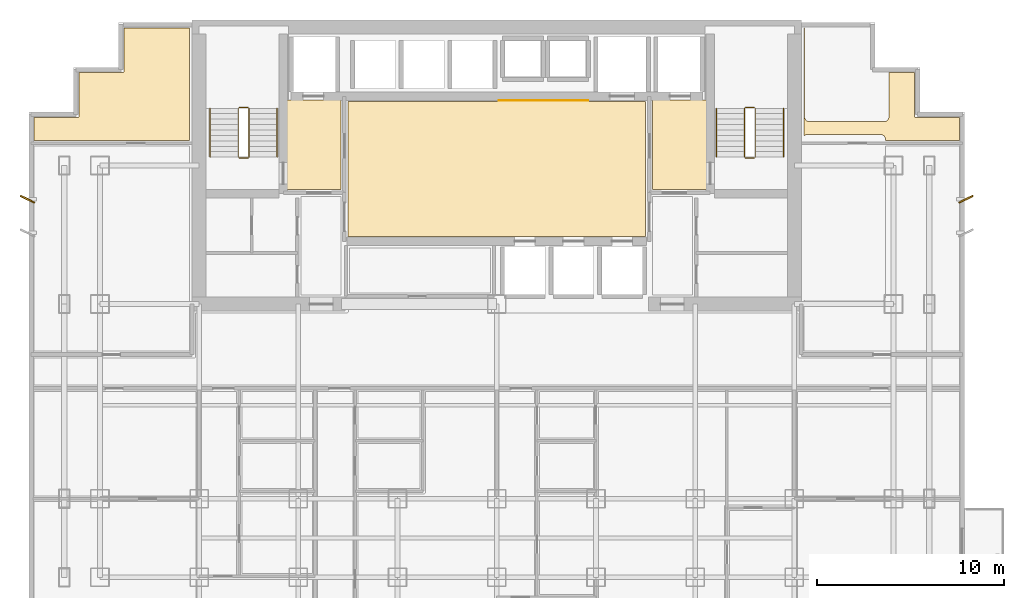
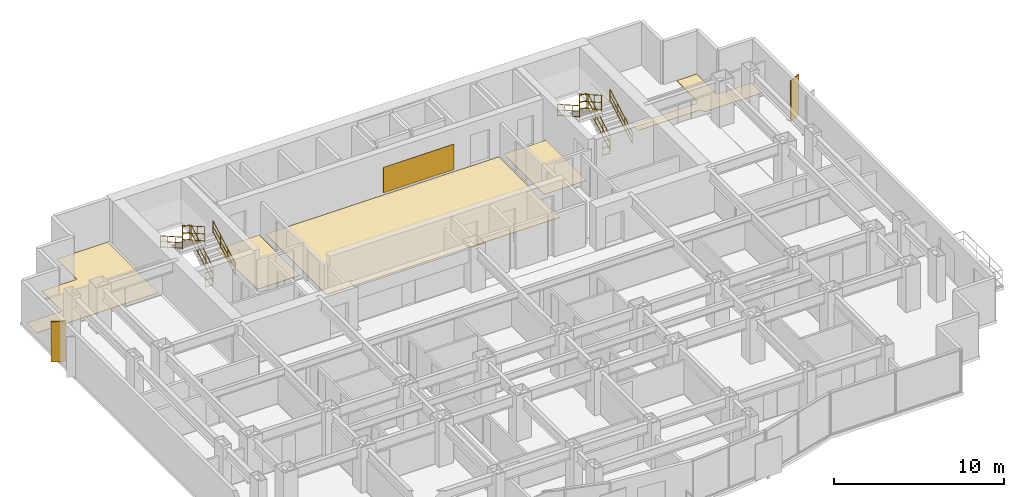
# One storey, part 10 of 10: 12 railings, 6 coverings, 2 shading devices.
"""IFC4 building model written with IfcOpenShell, lengths in metres."""

from ifc_helpers import new_model, si_unit, direction, frame, origin, origin_2d, place, context, subcontext, project, spatial, polyline, rectangle, circle, outline, extrude, source, transform, mapped, material, layer, layer_set, type_object, element, save


model = new_model("IFC4")

# Units and contexts
model_context = context("Model", 3, precision=1e-05, world=origin(), true_north=direction((0.0, 1.0)))
body_context = subcontext(model_context, "Body", "Model", "MODEL_VIEW")
ifc_project = project(units=[si_unit("LENGTHUNIT", "METRE"), si_unit("AREAUNIT", "SQUARE_METRE"), si_unit("VOLUMEUNIT", "CUBIC_METRE"), si_unit("PLANEANGLEUNIT", "RADIAN"), si_unit("MASSUNIT", "GRAM", prefix="KILO")], contexts=[model_context])

# Site, building, storey
site_placement = place(None, origin())
site = spatial("IfcSite", under=ifc_project, at=site_placement, CompositionType="ELEMENT")
building_placement = place(site_placement, origin())
building = spatial("IfcBuilding", under=site, at=building_placement, Name="Qianlan Lanfeng Residences", CompositionType="ELEMENT")
storey_placement = place(building_placement, frame((0.0, 0.0, 91.60009765625)))
storey = spatial("IfcBuildingStorey", under=building, at=storey_placement, Name="L24", CompositionType="ELEMENT", Elevation=91.60009765625)

# Coverings
ifc_material_1 = material(Name="Anodised Bronze Feature Wall Cladding")
ifc_layer_1 = layer(ifc_material_1, 0.02490234375)
ifc_layer_set_1 = layer_set([ifc_layer_1], Name="Anodised Bronze Feature Wall Cladding")
covering_type_1 = type_object("IfcCoveringType", Name="CLD-BRZ-25", PredefinedType="CLADDING", material=ifc_layer_set_1)
covering_1_placement = place(storey_placement, frame((0.0, 0.0, 0.14990234375)))
element("IfcCovering", 1, at=covering_1_placement, inside=storey, type_object=covering_type_1, Name="L24 Lift Lobby Bronze Feature Cladding", PredefinedType="CLADDING", context=body_context, shape_type="SweptSolid", body=[
    extrude(outline(polyline([(26.60009765625, 36.050048828125), (31.39990234375, 36.050048828125), (31.39990234375, 36.074951171875), (26.60009765625, 36.074951171875), (26.60009765625, 36.050048828125)])), origin(), (0.0, 0.0, 1.0), 1.830078125),
])
ifc_material_2 = material(Name="Honed Taitung Granite Stone Flooring", Category="masonry")
ifc_layer_2 = layer(ifc_material_2, 0.030029296875)
ifc_layer_set_2 = layer_set([ifc_layer_2], Name="Honed Taitung Granite Stone Flooring")
covering_type_2 = type_object("IfcCoveringType", Name="FLR-STN-30", PredefinedType="FLOORING", material=ifc_layer_set_2)
covering_2_placement = place(storey_placement, origin())
element("IfcCovering", 2, at=covering_2_placement, inside=storey, type_object=covering_type_2, Name="L24 Firefighting Lift Lobby Floor Finish", PredefinedType="FLOORING", context=body_context, shape_type="SweptSolid", body=[
    extrude(outline(polyline([(15.2900390625, 31.320068359375), (18.179931640625, 31.320068359375), (18.179931640625, 36.110107421875), (15.2900390625, 36.110107421875), (15.2900390625, 31.320068359375)])), origin(), (0.0, 0.0, 1.0), 0.02978515625),
])
covering_3_placement = place(storey_placement, origin())
element("IfcCovering", 3, at=covering_3_placement, inside=storey, type_object=covering_type_2, Name="L24 Firefighting Lift Lobby Floor Finish", PredefinedType="FLOORING", context=body_context, shape_type="SweptSolid", body=[
    extrude(outline(polyline([(34.820068359375, 31.320068359375), (37.7099609375, 31.320068359375), (37.7099609375, 36.110107421875), (34.820068359375, 36.110107421875), (34.820068359375, 31.320068359375)])), origin(), (0.0, 0.0, 1.0), 0.02978515625),
])
covering_4_placement = place(storey_placement, origin())
element("IfcCovering", 4, at=covering_4_placement, inside=storey, type_object=covering_type_2, Name="L24 Lift Lobby Floor Finish", PredefinedType="FLOORING", context=body_context, shape_type="SweptSolid", body=[
    extrude(outline(polyline([(18.550048828125, 28.820068359375), (34.449951171875, 28.820068359375), (34.449951171875, 36.010009765625), (18.550048828125, 36.010009765625), (18.550048828125, 28.820068359375)])), origin(), (0.0, 0.0, 1.0), 0.02978515625),
])
ifc_material_3 = material(Name="Engineered Smoked Oak Timber Flooring", Category="wood")
ifc_layer_3 = layer(ifc_material_3, 0.02197265625)
ifc_layer_set_3 = layer_set([ifc_layer_3], Name="Engineered Smoked Oak Timber Flooring")
covering_type_3 = type_object("IfcCoveringType", Name="FLR-TIM-22", PredefinedType="FLOORING", material=ifc_layer_set_3)
covering_5_placement = place(storey_placement, origin())
element("IfcCovering", 5, at=covering_5_placement, inside=storey, type_object=covering_type_3, Name="L24 Resident Lounge Floor Finish", PredefinedType="FLOORING", context=body_context, shape_type="SweptSolid", body=[
    extrude(outline(polyline([(1.7900390625, 33.949951171875), (10.074951171875, 33.949951171875), (10.074951171875, 39.9599609375), (6.590087890625, 39.9599609375), (6.590087890625, 37.6298828125), (6.590087890625, 37.623046875), (6.589111328125, 37.615966796875), (6.5869140625, 37.610107421875), (6.5849609375, 37.60302734375), (6.58203125, 37.596923828125), (6.577880859375, 37.591064453125), (6.573974609375, 37.5859375), (6.569091796875, 37.5810546875), (6.56396484375, 37.575927734375), (6.55908203125, 37.572021484375), (6.552978515625, 37.568115234375), (6.547119140625, 37.56494140625), (6.5400390625, 37.56298828125), (6.533935546875, 37.56103515625), (6.527099609375, 37.56005859375), (6.52001953125, 37.56005859375), (4.18994140625, 37.56005859375), (4.18994140625, 35.22998046875), (4.18994140625, 35.222900390625), (4.18896484375, 35.216064453125), (4.18701171875, 35.2099609375), (4.18505859375, 35.202880859375), (4.181884765625, 35.197021484375), (4.177978515625, 35.19091796875), (4.174072265625, 35.18603515625), (4.1689453125, 35.180908203125), (4.1640625, 35.176025390625), (4.158935546875, 35.172119140625), (4.153076171875, 35.16796875), (4.14697265625, 35.1650390625), (4.139892578125, 35.1630859375), (4.134033203125, 35.160888671875), (4.126953125, 35.159912109375), (4.1201171875, 35.159912109375), (1.7900390625, 35.159912109375), (1.7900390625, 33.949951171875)])), origin(), (0.0, 0.0, 1.0), 0.02197265625),
])
covering_6_placement = place(storey_placement, origin())
element("IfcCovering", 6, at=covering_6_placement, inside=storey, type_object=covering_type_3, Name="L24 Resident Lounge Floor Finish", PredefinedType="FLOORING", context=body_context, shape_type="SweptSolid", body=[
    extrude(outline(polyline([(42.925048828125, 34.196044921875), (42.94091796875, 34.2080078125), (42.9619140625, 34.219970703125), (42.98388671875, 34.23095703125), (43.007080078125, 34.239013671875), (43.031005859375, 34.2451171875), (43.054931640625, 34.2490234375), (43.080078125, 34.25), (47.02001953125, 34.25), (47.044921875, 34.2490234375), (47.069091796875, 34.2451171875), (47.093017578125, 34.239013671875), (47.115966796875, 34.23095703125), (47.137939453125, 34.219970703125), (47.158935546875, 34.2080078125), (47.178955078125, 34.193115234375), (47.197021484375, 34.177001953125), (47.212890625, 34.158935546875), (47.22802734375, 34.138916015625), (47.239990234375, 34.117919921875), (47.2509765625, 34.095947265625), (47.259033203125, 34.072998046875), (47.264892578125, 34.049072265625), (47.26904296875, 34.02490234375), (47.27001953125, 34.0), (47.27001953125, 33.949951171875), (51.2099609375, 33.949951171875), (51.2099609375, 35.159912109375), (48.8798828125, 35.159912109375), (48.873046875, 35.159912109375), (48.865966796875, 35.160888671875), (48.860107421875, 35.1630859375), (48.85302734375, 35.1650390625), (48.846923828125, 35.16796875), (48.841064453125, 35.172119140625), (48.8359375, 35.176025390625), (48.8310546875, 35.180908203125), (48.825927734375, 35.18603515625), (48.822021484375, 35.19091796875), (48.818115234375, 35.197021484375), (48.81494140625, 35.202880859375), (48.81298828125, 35.2099609375), (48.81103515625, 35.216064453125), (48.81005859375, 35.222900390625), (48.81005859375, 35.22998046875), (48.81005859375, 37.56005859375), (47.449951171875, 37.56005859375), (47.449951171875, 35.199951171875), (47.448974609375, 35.175048828125), (47.445068359375, 35.15087890625), (47.43896484375, 35.126953125), (47.430908203125, 35.10400390625), (47.419921875, 35.08203125), (47.407958984375, 35.06103515625), (47.39306640625, 35.041015625), (47.376953125, 35.02294921875), (47.35888671875, 35.007080078125), (47.339111328125, 34.991943359375), (47.318115234375, 34.97998046875), (47.2958984375, 34.968994140625), (47.27294921875, 34.9609375), (47.2490234375, 34.955078125), (47.22509765625, 34.950927734375), (47.199951171875, 34.949951171875), (43.199951171875, 34.949951171875), (43.175048828125, 34.950927734375), (43.15087890625, 34.955078125), (43.126953125, 34.9609375), (43.10400390625, 34.968994140625), (43.08203125, 34.97998046875), (43.06103515625, 34.991943359375), (43.041015625, 35.007080078125), (43.02294921875, 35.02294921875), (43.007080078125, 35.041015625), (42.991943359375, 35.06103515625), (42.97998046875, 35.08203125), (42.968994140625, 35.10400390625), (42.9609375, 35.126953125), (42.955078125, 35.15087890625), (42.950927734375, 35.175048828125), (42.949951171875, 35.199951171875), (42.949951171875, 39.9599609375), (42.925048828125, 39.9599609375), (42.925048828125, 34.196044921875)])), origin(), (0.0, 0.0, 1.0), 0.02197265625),
])

# Railings
ifc_material_4 = material(Name="Painted Galvanised Steel Guardrail", Category="steel")
railing_type_1 = type_object("IfcRailingType", Name="GR-ST-1120", PredefinedType="GUARDRAIL", material=ifc_material_4)
railing_1_placement = place(storey_placement, frame((13.27001953125, 33.050048828125, 0.164794921875)))
element("IfcRailing", 7, at=railing_1_placement, inside=storey, type_object=railing_type_1, Name="L24 ST-1 stair guard 1", PredefinedType="GUARDRAIL", context=body_context, shape_type="SweptSolid", body=[
    extrude(circle(Radius=0.02392578125, at=origin_2d()), frame((0.0, 0.0, 0.083984375), z_axis=(0.0, 0.869137319866, 0.494570843475), x_axis=(-1.0, 0.0, 0.0)), (0.0, 0.0, 1.0), 3.0029296875),
    extrude(circle(Radius=0.02392578125, at=origin_2d()), frame((0.0, 0.0, 0.58251953125), z_axis=(0.0, 0.869137319866, 0.494570843475), x_axis=(-1.0, 0.0, 0.0)), (0.0, 0.0, 1.0), 3.0029296875),
    extrude(circle(Radius=0.02392578125, at=origin_2d()), frame((0.0, 0.0, 1.09619140625), z_axis=(0.0, 0.869137319866, 0.494570843475), x_axis=(-1.0, 0.0, 0.0)), (0.0, 0.0, 1.0), 3.0029296875),
    extrude(circle(Radius=0.02099609375, at=origin_2d()), origin(), (0.0, 0.0, 1.0), 1.072021484375),
    extrude(circle(Radius=0.02099609375, at=origin_2d()), frame((0.0, 0.869873046875, 0.4951171875)), (0.0, 0.0, 1.0), 1.072021484375),
    extrude(circle(Radius=0.02099609375, at=origin_2d()), frame((0.0, 1.739990234375, 0.989990234375)), (0.0, 0.0, 1.0), 1.072021484375),
    extrude(circle(Radius=0.02099609375, at=origin_2d()), frame((0.0, 2.60986328125, 1.485107421875)), (0.0, 0.0, 1.0), 1.072021484375),
])
railing_2_placement = place(storey_placement, frame((13.219970703125, 35.7099609375, 1.64990234375)))
element("IfcRailing", 8, at=railing_2_placement, inside=storey, type_object=railing_type_1, Name="L24 ST-1 stair guard 2", PredefinedType="GUARDRAIL", context=body_context, shape_type="SweptSolid", body=[
    extrude(circle(Radius=0.02392578125, at=origin_2d()), frame((0.0, 0.0, 0.083984375), z_axis=(-1.0, 0.0, 0.0), x_axis=(0.0, -1.0, 0.0)), (0.0, 0.0, 1.0), 0.47998046875),
    extrude(circle(Radius=0.02392578125, at=origin_2d()), frame((0.0, 0.0, 0.58251953125), z_axis=(-1.0, 0.0, 0.0), x_axis=(0.0, -1.0, 0.0)), (0.0, 0.0, 1.0), 0.47998046875),
    extrude(circle(Radius=0.02392578125, at=origin_2d()), frame((0.0, 0.0, 1.09619140625), z_axis=(-1.0, 0.0, 0.0), x_axis=(0.0, -1.0, 0.0)), (0.0, 0.0, 1.0), 0.47998046875),
    extrude(circle(Radius=0.02099609375, at=origin_2d()), origin(), (0.0, 0.0, 1.0), 1.072021484375),
    extrude(circle(Radius=0.02099609375, at=origin_2d()), frame((-0.47998046875, 0.0, 0.0)), (0.0, 0.0, 1.0), 1.072021484375),
])
railing_3_placement = place(storey_placement, frame((12.68994140625, 35.659912109375, 1.81494140625)))
element("IfcRailing", 9, at=railing_3_placement, inside=storey, type_object=railing_type_1, Name="L24 ST-1 stair guard 3", PredefinedType="GUARDRAIL", context=body_context, shape_type="SweptSolid", body=[
    extrude(circle(Radius=0.02392578125, at=origin_2d()), frame((0.0, 0.0, 0.083984375), z_axis=(0.0, -0.869172267526, 0.494509422927), x_axis=(1.0, 0.0, 0.0)), (0.0, 0.0, 1.0), 3.002685546875),
    extrude(circle(Radius=0.02392578125, at=origin_2d()), frame((0.0, 0.0, 0.58251953125), z_axis=(0.0, -0.869172267526, 0.494509422927), x_axis=(1.0, 0.0, 0.0)), (0.0, 0.0, 1.0), 3.002685546875),
    extrude(circle(Radius=0.02392578125, at=origin_2d()), frame((0.0, 0.0, 1.09619140625), z_axis=(0.0, -0.869172267526, 0.494509422927), x_axis=(1.0, 0.0, 0.0)), (0.0, 0.0, 1.0), 3.002685546875),
    extrude(circle(Radius=0.02099609375, at=origin_2d()), origin(), (0.0, 0.0, 1.0), 1.072021484375),
    extrude(circle(Radius=0.02099609375, at=origin_2d()), frame((0.0, -0.869873046875, 0.494873046875)), (0.0, 0.0, 1.0), 1.072021484375),
    extrude(circle(Radius=0.02099609375, at=origin_2d()), frame((0.0, -1.739990234375, 0.989990234375)), (0.0, 0.0, 1.0), 1.072021484375),
    extrude(circle(Radius=0.02099609375, at=origin_2d()), frame((0.0, -2.60986328125, 1.48486328125)), (0.0, 0.0, 1.0), 1.072021484375),
])
railing_4_placement = place(storey_placement, frame((13.219970703125, 33.0, 0.0)))
element("IfcRailing", 10, at=railing_4_placement, inside=storey, type_object=railing_type_1, Name="L24 ST-1 stair guard 4", PredefinedType="GUARDRAIL", context=body_context, shape_type="SweptSolid", body=[
    extrude(circle(Radius=0.02392578125, at=origin_2d()), frame((0.0, 0.0, 0.083984375), z_axis=(-1.0, 0.0, 0.0), x_axis=(0.0, -1.0, 0.0)), (0.0, 0.0, 1.0), 0.47998046875),
    extrude(circle(Radius=0.02392578125, at=origin_2d()), frame((0.0, 0.0, 0.58251953125), z_axis=(-1.0, 0.0, 0.0), x_axis=(0.0, -1.0, 0.0)), (0.0, 0.0, 1.0), 0.47998046875),
    extrude(circle(Radius=0.02392578125, at=origin_2d()), frame((0.0, 0.0, 1.09619140625), z_axis=(-1.0, 0.0, 0.0), x_axis=(0.0, -1.0, 0.0)), (0.0, 0.0, 1.0), 0.47998046875),
    extrude(circle(Radius=0.02099609375, at=origin_2d()), origin(), (0.0, 0.0, 1.0), 1.072021484375),
    extrude(circle(Radius=0.02099609375, at=origin_2d()), frame((-0.47998046875, 0.0, 0.0)), (0.0, 0.0, 1.0), 1.072021484375),
])
railing_5_placement = place(storey_placement, frame((40.31005859375, 33.050048828125, 0.164794921875)))
element("IfcRailing", 11, at=railing_5_placement, inside=storey, type_object=railing_type_1, Name="L24 ST-2 stair guard 1", PredefinedType="GUARDRAIL", context=body_context, shape_type="SweptSolid", body=[
    extrude(circle(Radius=0.02392578125, at=origin_2d()), frame((0.0, 0.0, 0.083984375), z_axis=(0.0, 0.869137319866, 0.494570843475), x_axis=(-1.0, 0.0, 0.0)), (0.0, 0.0, 1.0), 3.0029296875),
    extrude(circle(Radius=0.02392578125, at=origin_2d()), frame((0.0, 0.0, 0.58251953125), z_axis=(0.0, 0.869137319866, 0.494570843475), x_axis=(-1.0, 0.0, 0.0)), (0.0, 0.0, 1.0), 3.0029296875),
    extrude(circle(Radius=0.02392578125, at=origin_2d()), frame((0.0, 0.0, 1.09619140625), z_axis=(0.0, 0.869137319866, 0.494570843475), x_axis=(-1.0, 0.0, 0.0)), (0.0, 0.0, 1.0), 3.0029296875),
    extrude(circle(Radius=0.02099609375, at=origin_2d()), origin(), (0.0, 0.0, 1.0), 1.072021484375),
    extrude(circle(Radius=0.02099609375, at=origin_2d()), frame((0.0, 0.869873046875, 0.4951171875)), (0.0, 0.0, 1.0), 1.072021484375),
    extrude(circle(Radius=0.02099609375, at=origin_2d()), frame((0.0, 1.739990234375, 0.989990234375)), (0.0, 0.0, 1.0), 1.072021484375),
    extrude(circle(Radius=0.02099609375, at=origin_2d()), frame((0.0, 2.60986328125, 1.485107421875)), (0.0, 0.0, 1.0), 1.072021484375),
])
railing_6_placement = place(storey_placement, frame((40.260009765625, 35.7099609375, 1.64990234375)))
element("IfcRailing", 12, at=railing_6_placement, inside=storey, type_object=railing_type_1, Name="L24 ST-2 stair guard 2", PredefinedType="GUARDRAIL", context=body_context, shape_type="SweptSolid", body=[
    extrude(circle(Radius=0.02392578125, at=origin_2d()), frame((0.0, 0.0, 0.083984375), z_axis=(-1.0, 0.0, 0.0), x_axis=(0.0, -1.0, 0.0)), (0.0, 0.0, 1.0), 0.47998046875),
    extrude(circle(Radius=0.02392578125, at=origin_2d()), frame((0.0, 0.0, 0.58251953125), z_axis=(-1.0, 0.0, 0.0), x_axis=(0.0, -1.0, 0.0)), (0.0, 0.0, 1.0), 0.47998046875),
    extrude(circle(Radius=0.02392578125, at=origin_2d()), frame((0.0, 0.0, 1.09619140625), z_axis=(-1.0, 0.0, 0.0), x_axis=(0.0, -1.0, 0.0)), (0.0, 0.0, 1.0), 0.47998046875),
    extrude(circle(Radius=0.02099609375, at=origin_2d()), origin(), (0.0, 0.0, 1.0), 1.072021484375),
    extrude(circle(Radius=0.02099609375, at=origin_2d()), frame((-0.47998046875, 0.0, 0.0)), (0.0, 0.0, 1.0), 1.072021484375),
])
railing_7_placement = place(storey_placement, frame((39.72998046875, 35.659912109375, 1.81494140625)))
element("IfcRailing", 13, at=railing_7_placement, inside=storey, type_object=railing_type_1, Name="L24 ST-2 stair guard 3", PredefinedType="GUARDRAIL", context=body_context, shape_type="SweptSolid", body=[
    extrude(circle(Radius=0.02392578125, at=origin_2d()), frame((0.0, 0.0, 0.083984375), z_axis=(0.0, -0.869172267526, 0.494509422927), x_axis=(1.0, 0.0, 0.0)), (0.0, 0.0, 1.0), 3.002685546875),
    extrude(circle(Radius=0.02392578125, at=origin_2d()), frame((0.0, 0.0, 0.58251953125), z_axis=(0.0, -0.869172267526, 0.494509422927), x_axis=(1.0, 0.0, 0.0)), (0.0, 0.0, 1.0), 3.002685546875),
    extrude(circle(Radius=0.02392578125, at=origin_2d()), frame((0.0, 0.0, 1.09619140625), z_axis=(0.0, -0.869172267526, 0.494509422927), x_axis=(1.0, 0.0, 0.0)), (0.0, 0.0, 1.0), 3.002685546875),
    extrude(circle(Radius=0.02099609375, at=origin_2d()), origin(), (0.0, 0.0, 1.0), 1.072021484375),
    extrude(circle(Radius=0.02099609375, at=origin_2d()), frame((0.0, -0.869873046875, 0.494873046875)), (0.0, 0.0, 1.0), 1.072021484375),
    extrude(circle(Radius=0.02099609375, at=origin_2d()), frame((0.0, -1.739990234375, 0.989990234375)), (0.0, 0.0, 1.0), 1.072021484375),
    extrude(circle(Radius=0.02099609375, at=origin_2d()), frame((0.0, -2.60986328125, 1.48486328125)), (0.0, 0.0, 1.0), 1.072021484375),
])
railing_8_placement = place(storey_placement, frame((40.260009765625, 33.0, 0.0)))
element("IfcRailing", 14, at=railing_8_placement, inside=storey, type_object=railing_type_1, Name="L24 ST-2 stair guard 4", PredefinedType="GUARDRAIL", context=body_context, shape_type="SweptSolid", body=[
    extrude(circle(Radius=0.02392578125, at=origin_2d()), frame((0.0, 0.0, 0.083984375), z_axis=(-1.0, 0.0, 0.0), x_axis=(0.0, -1.0, 0.0)), (0.0, 0.0, 1.0), 0.47998046875),
    extrude(circle(Radius=0.02392578125, at=origin_2d()), frame((0.0, 0.0, 0.58251953125), z_axis=(-1.0, 0.0, 0.0), x_axis=(0.0, -1.0, 0.0)), (0.0, 0.0, 1.0), 0.47998046875),
    extrude(circle(Radius=0.02392578125, at=origin_2d()), frame((0.0, 0.0, 1.09619140625), z_axis=(-1.0, 0.0, 0.0), x_axis=(0.0, -1.0, 0.0)), (0.0, 0.0, 1.0), 0.47998046875),
    extrude(circle(Radius=0.02099609375, at=origin_2d()), origin(), (0.0, 0.0, 1.0), 1.072021484375),
    extrude(circle(Radius=0.02099609375, at=origin_2d()), frame((-0.47998046875, 0.0, 0.0)), (0.0, 0.0, 1.0), 1.072021484375),
])
ifc_material_5 = material(Name="Brushed Stainless Steel Handrail", Category="steel")
railing_type_2 = type_object("IfcRailingType", Name="HR-ST-920", PredefinedType="HANDRAIL", material=ifc_material_5)
railing_9_placement = place(storey_placement, frame((14.77001953125, 33.050048828125, 0.164794921875)))
element("IfcRailing", 15, at=railing_9_placement, inside=storey, type_object=railing_type_2, Name="L24 ST-1 stair handrail 1", PredefinedType="HANDRAIL", context=body_context, shape_type="SweptSolid", body=[
    extrude(circle(Radius=0.02392578125, at=origin_2d()), frame((0.0, 0.0, 0.083984375), z_axis=(0.0, 0.869137319866, 0.494570843475), x_axis=(-1.0, 0.0, 0.0)), (0.0, 0.0, 1.0), 3.0029296875),
    extrude(circle(Radius=0.02392578125, at=origin_2d()), frame((0.0, 0.0, 0.468017578125), z_axis=(0.0, 0.869137319866, 0.494570843475), x_axis=(-1.0, 0.0, 0.0)), (0.0, 0.0, 1.0), 3.0029296875),
    extrude(circle(Radius=0.02392578125, at=origin_2d()), frame((0.0, 0.0, 0.8759765625), z_axis=(0.0, 0.869137319866, 0.494570843475), x_axis=(-1.0, 0.0, 0.0)), (0.0, 0.0, 1.0), 3.0029296875),
    extrude(circle(Radius=0.02099609375, at=origin_2d()), origin(), (0.0, 0.0, 1.0), 0.851806640625),
    extrude(circle(Radius=0.02099609375, at=origin_2d()), frame((0.0, 0.869873046875, 0.4951171875)), (0.0, 0.0, 1.0), 0.851806640625),
    extrude(circle(Radius=0.02099609375, at=origin_2d()), frame((0.0, 1.739990234375, 0.989990234375)), (0.0, 0.0, 1.0), 0.851806640625),
    extrude(circle(Radius=0.02099609375, at=origin_2d()), frame((0.0, 2.60986328125, 1.485107421875)), (0.0, 0.0, 1.0), 0.851806640625),
])
railing_10_placement = place(storey_placement, frame((11.18994140625, 35.659912109375, 1.81494140625)))
element("IfcRailing", 16, at=railing_10_placement, inside=storey, type_object=railing_type_2, Name="L24 ST-1 stair handrail 2", PredefinedType="HANDRAIL", context=body_context, shape_type="SweptSolid", body=[
    extrude(circle(Radius=0.02392578125, at=origin_2d()), frame((0.0, 0.0, 0.083984375), z_axis=(0.0, -0.869172267526, 0.494509422927), x_axis=(1.0, 0.0, 0.0)), (0.0, 0.0, 1.0), 3.002685546875),
    extrude(circle(Radius=0.02392578125, at=origin_2d()), frame((0.0, 0.0, 0.468017578125), z_axis=(0.0, -0.869172267526, 0.494509422927), x_axis=(1.0, 0.0, 0.0)), (0.0, 0.0, 1.0), 3.002685546875),
    extrude(circle(Radius=0.02392578125, at=origin_2d()), frame((0.0, 0.0, 0.8759765625), z_axis=(0.0, -0.869172267526, 0.494509422927), x_axis=(1.0, 0.0, 0.0)), (0.0, 0.0, 1.0), 3.002685546875),
    extrude(circle(Radius=0.02099609375, at=origin_2d()), origin(), (0.0, 0.0, 1.0), 0.851806640625),
    extrude(circle(Radius=0.02099609375, at=origin_2d()), frame((0.0, -0.869873046875, 0.494873046875)), (0.0, 0.0, 1.0), 0.851806640625),
    extrude(circle(Radius=0.02099609375, at=origin_2d()), frame((0.0, -1.739990234375, 0.989990234375)), (0.0, 0.0, 1.0), 0.851806640625),
    extrude(circle(Radius=0.02099609375, at=origin_2d()), frame((0.0, -2.60986328125, 1.48486328125)), (0.0, 0.0, 1.0), 0.851806640625),
])
railing_11_placement = place(storey_placement, frame((41.81005859375, 33.050048828125, 0.164794921875)))
element("IfcRailing", 17, at=railing_11_placement, inside=storey, type_object=railing_type_2, Name="L24 ST-2 stair handrail 1", PredefinedType="HANDRAIL", context=body_context, shape_type="SweptSolid", body=[
    extrude(circle(Radius=0.02392578125, at=origin_2d()), frame((0.0, 0.0, 0.083984375), z_axis=(0.0, 0.869137319866, 0.494570843475), x_axis=(-1.0, 0.0, 0.0)), (0.0, 0.0, 1.0), 3.0029296875),
    extrude(circle(Radius=0.02392578125, at=origin_2d()), frame((0.0, 0.0, 0.468017578125), z_axis=(0.0, 0.869137319866, 0.494570843475), x_axis=(-1.0, 0.0, 0.0)), (0.0, 0.0, 1.0), 3.0029296875),
    extrude(circle(Radius=0.02392578125, at=origin_2d()), frame((0.0, 0.0, 0.8759765625), z_axis=(0.0, 0.869137319866, 0.494570843475), x_axis=(-1.0, 0.0, 0.0)), (0.0, 0.0, 1.0), 3.0029296875),
    extrude(circle(Radius=0.02099609375, at=origin_2d()), origin(), (0.0, 0.0, 1.0), 0.851806640625),
    extrude(circle(Radius=0.02099609375, at=origin_2d()), frame((0.0, 0.869873046875, 0.4951171875)), (0.0, 0.0, 1.0), 0.851806640625),
    extrude(circle(Radius=0.02099609375, at=origin_2d()), frame((0.0, 1.739990234375, 0.989990234375)), (0.0, 0.0, 1.0), 0.851806640625),
    extrude(circle(Radius=0.02099609375, at=origin_2d()), frame((0.0, 2.60986328125, 1.485107421875)), (0.0, 0.0, 1.0), 0.851806640625),
])
railing_12_placement = place(storey_placement, frame((38.22998046875, 35.659912109375, 1.81494140625)))
element("IfcRailing", 18, at=railing_12_placement, inside=storey, type_object=railing_type_2, Name="L24 ST-2 stair handrail 2", PredefinedType="HANDRAIL", context=body_context, shape_type="SweptSolid", body=[
    extrude(circle(Radius=0.02392578125, at=origin_2d()), frame((0.0, 0.0, 0.083984375), z_axis=(0.0, -0.869172267526, 0.494509422927), x_axis=(1.0, 0.0, 0.0)), (0.0, 0.0, 1.0), 3.002685546875),
    extrude(circle(Radius=0.02392578125, at=origin_2d()), frame((0.0, 0.0, 0.468017578125), z_axis=(0.0, -0.869172267526, 0.494509422927), x_axis=(1.0, 0.0, 0.0)), (0.0, 0.0, 1.0), 3.002685546875),
    extrude(circle(Radius=0.02392578125, at=origin_2d()), frame((0.0, 0.0, 0.8759765625), z_axis=(0.0, -0.869172267526, 0.494509422927), x_axis=(1.0, 0.0, 0.0)), (0.0, 0.0, 1.0), 3.002685546875),
    extrude(circle(Radius=0.02099609375, at=origin_2d()), origin(), (0.0, 0.0, 1.0), 0.851806640625),
    extrude(circle(Radius=0.02099609375, at=origin_2d()), frame((0.0, -0.869873046875, 0.494873046875)), (0.0, 0.0, 1.0), 0.851806640625),
    extrude(circle(Radius=0.02099609375, at=origin_2d()), frame((0.0, -1.739990234375, 0.989990234375)), (0.0, 0.0, 1.0), 0.851806640625),
    extrude(circle(Radius=0.02099609375, at=origin_2d()), frame((0.0, -2.60986328125, 1.48486328125)), (0.0, 0.0, 1.0), 0.851806640625),
])

# Shading devices
ifc_material_6 = material(Name="Anodised Bronze Aluminium Solar Fin", Category="aluminium")
shading_device_type = type_object("IfcShadingDeviceType", Name="FIN-BRZ-850", PredefinedType="SHUTTER", material=ifc_material_6)
shared_shape = source(origin(), body_context, "Body", "SweptSolid", [
    extrude(rectangle(XDim=0.85009765625, YDim=0.080078125, at=origin_2d()), origin(), (0.0, 0.0, 1.0), 2.89990234375),
])
for number, where, z_axis, x_axis, name in (
    (19, (1.429931640625, 30.800048828125, 0.0), (0.0, 0.0, 1.0), (0.898794046299, -0.438371146789, 0.0), "L24 Raked Bronze Solar Fin W2"),
    (20, (51.570068359375, 30.800048828125, 0.0), (0.0, 0.0, 1.0), (0.898794046299, 0.438371146789, 0.0), "L24 Raked Bronze Solar Fin E2"),
):
    element("IfcShadingDevice", number, at=place(storey_placement, frame(where, z_axis=z_axis, x_axis=x_axis)), inside=storey, type_object=shading_device_type, Name=name, PredefinedType="SHUTTER", context=body_context, shape_type="MappedRepresentation", body=[
        mapped(shared_shape, transform((0.0, 0.0, 0.0), scale=1.0)),
    ])

save(model, "model.ifc")
